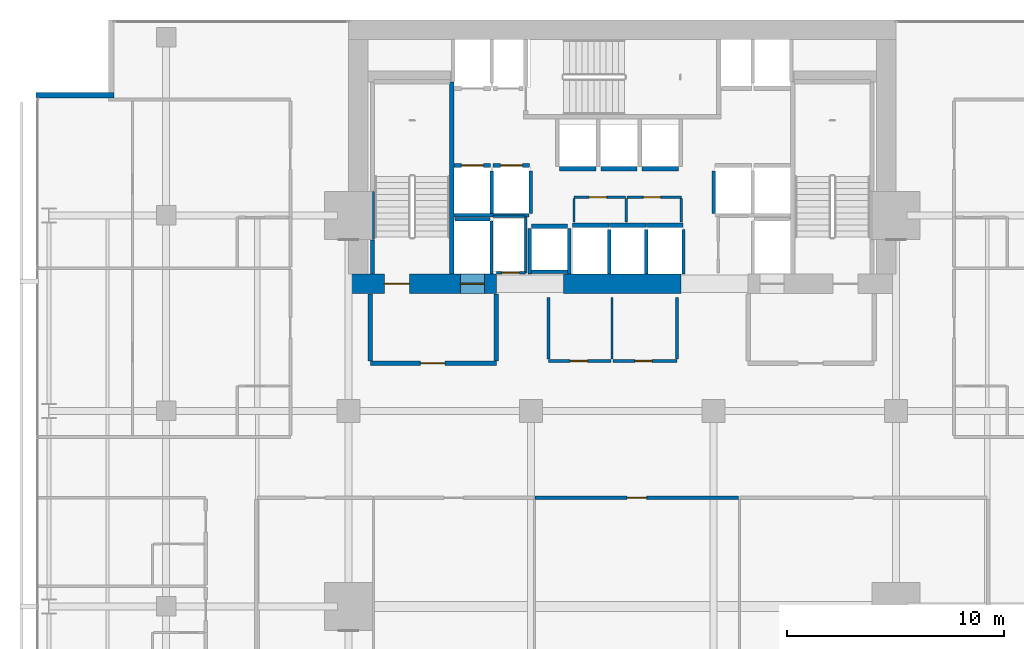
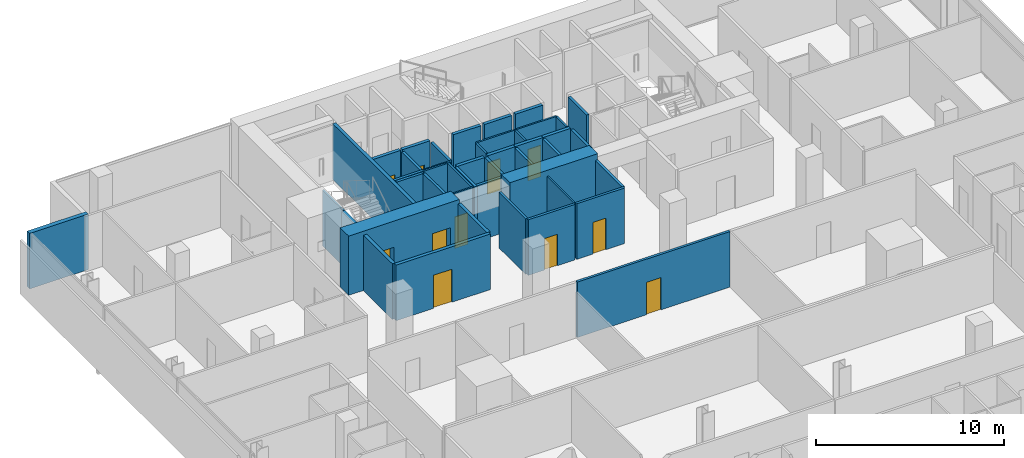
# One storey, part 36 of 41: 44 walls, 11 doors, 11 openings.
"""IFC4 building model written with IfcOpenShell, lengths in metres."""

from ifc_helpers import new_model, si_unit, direction, frame, frame_2d, origin, place, context, subcontext, project, spatial, rectangle, extrude, material, layer, layer_set, type_object, element, fill, save


model = new_model("IFC4")

# Units and contexts
model_context = context("Model", 3, precision=1e-05, world=origin(), true_north=direction((0.0, 1.0)))
body_context = subcontext(model_context, "Body", "Model", "MODEL_VIEW")
ifc_project = project(units=[si_unit("LENGTHUNIT", "METRE"), si_unit("AREAUNIT", "SQUARE_METRE"), si_unit("VOLUMEUNIT", "CUBIC_METRE"), si_unit("PLANEANGLEUNIT", "RADIAN"), si_unit("MASSUNIT", "GRAM", prefix="KILO")], contexts=[model_context])

# Site, building, storey
site_placement = place(None, origin())
site = spatial("IfcSite", under=ifc_project, at=site_placement, CompositionType="ELEMENT")
building_placement = place(site_placement, origin())
building = spatial("IfcBuilding", under=site, at=building_placement, Name="Maruvema Waterfront Hotel and Observation Tower", CompositionType="ELEMENT")
storey_placement = place(building_placement, frame((0.0, 0.0, 61.60009765625)))
storey = spatial("IfcBuildingStorey", under=building, at=storey_placement, Name="L14", CompositionType="ELEMENT", Elevation=61.60009765625)

# Wall, opening, door
ifc_material_1 = material(Name="Twin-stud acoustic gypsum drywall", Category="gypsum")
ifc_layer_1 = layer(ifc_material_1, 0.14990234375, Name="Acoustic Corridor and Suite Demising Wall 150 mm")
ifc_layer_set_1 = layer_set([ifc_layer_1], Name="Twin-stud acoustic gypsum drywall")
wall_type_1 = type_object("IfcWallType", Name="Acoustic Corridor and Suite Demising Wall 150 mm", PredefinedType="PARTITIONING", material=ifc_layer_set_1)
wall_1_placement = place(storey_placement, frame((34.39990234375, 38.300048828125, 0.0), z_axis=(0.0, 0.0, 1.0), x_axis=(1.0, 0.0, 0.0)))
wall_1 = element("IfcWall", 1, at=wall_1_placement, inside=storey, type_object=wall_type_1, Name="L14 Core Apron K2A South 017", PredefinedType="PARTITIONING", context=body_context, shape_type="SweptSolid", body=[
    extrude(rectangle(XDim=2.880126953125, YDim=0.14990234375, at=frame_2d((1.43994140625, 0.0))), origin(), (0.0, 0.0, 1.0), 3.60986328125),
])
opening_1_placement = place(wall_1_placement, frame((1.0, 0.0, 0.0)))
opening_1 = element("IfcOpeningElement", 2, at=opening_1_placement, cuts=wall_1, Name="Opening DR-080", PredefinedType="OPENING", context=body_context, shape_type="SweptSolid", body=[
    extrude(rectangle(XDim=0.800048828125, YDim=2.050048828125, at=frame_2d((0.39990234375, 1.02490234375))), frame((0.0, 0.0849609375, 0.0), z_axis=(0.0, -1.0, 0.0), x_axis=(1.0, 0.0, 0.0)), (0.0, 0.0, 1.0), 0.169921875),
])
ifc_material_2 = material(Name="Powder-coated steel access leaf", Category="steel")
door_type_1 = type_object("IfcDoorType", Name="Riser and Service Cupboard Door 800x2050 mm", OperationType="NOTDEFINED", PredefinedType="DOOR", material=ifc_material_2)
door_1_placement = place(opening_1_placement, frame((0.800048828125, 0.0, 0.0), z_axis=(0.0, 0.0, 1.0), x_axis=(-1.0, 0.0, 0.0)))
door_1 = element("IfcDoor", 3, at=door_1_placement, inside=storey, type_object=door_type_1, Name="L14 Core Ice Alcove Door", OperationType="SINGLE_SWING_RIGHT", OverallHeight=2.050048828125, OverallWidth=0.800048828125, PredefinedType="DOOR", context=body_context, shape_type="SweptSolid", body=[
    extrude(rectangle(XDim=0.800048828125, YDim=2.050048828125, at=frame_2d((0.39990234375, 1.02490234375))), frame((0.0, 0.02490234375, 0.0), z_axis=(0.0, -1.0, 0.0), x_axis=(1.0, 0.0, 0.0)), (0.0, 0.0, 1.0), 0.050048828125),
])
fill(opening_1, door_1)

wall_2_placement = place(storey_placement, frame((37.3798828125, 38.300048828125, 0.0), z_axis=(0.0, 0.0, 1.0), x_axis=(1.0, 0.0, 0.0)))
wall_2 = element("IfcWall", 4, at=wall_2_placement, inside=storey, type_object=wall_type_1, Name="L14 Core Apron K2B South 018", PredefinedType="PARTITIONING", context=body_context, shape_type="SweptSolid", body=[
    extrude(rectangle(XDim=2.940185546875, YDim=0.14990234375, at=frame_2d((1.47021484375, 0.0))), origin(), (0.0, 0.0, 1.0), 3.60986328125),
])
opening_2_placement = place(wall_2_placement, frame((1.0, 0.0, 0.0)))
opening_2 = element("IfcOpeningElement", 5, at=opening_2_placement, cuts=wall_2, Name="Opening DR-080", PredefinedType="OPENING", context=body_context, shape_type="SweptSolid", body=[
    extrude(rectangle(XDim=0.800048828125, YDim=2.050048828125, at=frame_2d((0.39990234375, 1.02490234375))), frame((0.0, 0.0849609375, 0.0), z_axis=(0.0, -1.0, 0.0), x_axis=(1.0, 0.0, 0.0)), (0.0, 0.0, 1.0), 0.169921875),
])
door_2_placement = place(opening_2_placement, frame((0.800048828125, 0.0, 0.0), z_axis=(0.0, 0.0, 1.0), x_axis=(-1.0, 0.0, 0.0)))
door_2 = element("IfcDoor", 6, at=door_2_placement, inside=storey, type_object=door_type_1, Name="L14 Core Valet Closet Door", OperationType="SINGLE_SWING_LEFT", OverallHeight=2.050048828125, OverallWidth=0.800048828125, PredefinedType="DOOR", context=body_context, shape_type="SweptSolid", body=[
    extrude(rectangle(XDim=0.800048828125, YDim=2.050048828125, at=frame_2d((0.39990234375, 1.02490234375))), frame((0.0, 0.02490234375, 0.0), z_axis=(0.0, -1.0, 0.0), x_axis=(1.0, 0.0, 0.0)), (0.0, 0.0, 1.0), 0.050048828125),
])
fill(opening_2, door_2)

# Walls
for number, where, z_axis, x_axis, name in (
    (7, (34.39990234375, 38.3798828125, 0.0), (0.0, 0.0, 1.0), (0.0, 1.0, 0.0), "L14 Core Apron K2 West 019"),
    (8, (40.320068359375, 38.3798828125, 0.0), (0.0, 0.0, 1.0), (0.0, 1.0, 0.0), "L14 Core Apron K2 East 021"),
):
    element("IfcWall", number, at=place(storey_placement, frame(where, z_axis=z_axis, x_axis=x_axis)), inside=storey, type_object=wall_type_1, Name=name, PredefinedType="PARTITIONING", context=body_context, shape_type="SweptSolid", body=[
        extrude(rectangle(XDim=2.840087890625, YDim=0.14990234375, at=frame_2d((1.419921875, 0.0))), origin(), (0.0, 0.0, 1.0), 3.60986328125),
    ])

# Wall, opening, door
wall_3_placement = place(storey_placement, frame((33.785888671875, 32.0, 0.0), z_axis=(0.0, 0.0, 1.0), x_axis=(1.0, 0.0, 0.0)))
wall_3 = element("IfcWall", 9, at=wall_3_placement, inside=storey, type_object=wall_type_1, Name="L14 L14-INTN Front 3 029", PredefinedType="PARTITIONING", context=body_context, shape_type="SweptSolid", body=[
    extrude(rectangle(XDim=9.376220703125, YDim=0.14990234375, at=frame_2d((4.68798828125, 0.0))), origin(), (0.0, 0.0, 1.0), 3.60986328125),
])
opening_3_placement = place(wall_3_placement, frame((4.238037109375, 0.0, 0.0)))
opening_3 = element("IfcOpeningElement", 10, at=opening_3_placement, cuts=wall_3, Name="Opening DR-090", PredefinedType="OPENING", context=body_context, shape_type="SweptSolid", body=[
    extrude(rectangle(XDim=0.89990234375, YDim=2.10009765625, at=frame_2d((0.449951171875, 1.050048828125))), frame((0.0, 0.0849609375, 0.0), z_axis=(0.0, -1.0, 0.0), x_axis=(1.0, 0.0, 0.0)), (0.0, 0.0, 1.0), 0.169921875),
])
ifc_material_3 = material(Name="Solid-core lacquered timber leaf", Category="wood")
door_type_2 = type_object("IfcDoorType", Name="Accessible Toilet and Room Door 900x2100 mm", OperationType="NOTDEFINED", PredefinedType="DOOR", material=ifc_material_3)
door_3_placement = place(opening_3_placement, origin())
door_3 = element("IfcDoor", 11, at=door_3_placement, inside=storey, type_object=door_type_2, Name="L14 Conference Salon 3 Door", OperationType="SINGLE_SWING_RIGHT", OverallHeight=2.10009765625, OverallWidth=0.89990234375, PredefinedType="DOOR", context=body_context, shape_type="SweptSolid", body=[
    extrude(rectangle(XDim=0.89990234375, YDim=2.10009765625, at=frame_2d((0.449951171875, 1.050048828125))), frame((0.0, 0.02490234375, 0.0), z_axis=(0.0, -1.0, 0.0), x_axis=(1.0, 0.0, 0.0)), (0.0, 0.0, 1.0), 0.050048828125),
])
fill(opening_3, door_3)

# Walls
ifc_material_4 = material(Name="Precast concrete C45/55", Category="concrete")
ifc_layer_2 = layer(ifc_material_4, 0.199951171875, Name="Core Shaft and Stairwell Enclosure Wall 200 mm")
ifc_layer_set_2 = layer_set([ifc_layer_2], Name="Precast concrete C45/55")
wall_type_2 = type_object("IfcWallType", Name="Core Shaft and Stairwell Enclosure Wall 200 mm", PredefinedType="SOLIDWALL", material=ifc_layer_set_2)
wall_4_placement = place(storey_placement, frame((29.949951171875, 42.300048828125, 0.0), z_axis=(0.0, 0.0, 1.0), x_axis=(0.0, 1.0, 0.0)))
element("IfcWall", 12, at=wall_4_placement, inside=storey, type_object=wall_type_2, Name="L14 Stairwell ST-01 East Shaft Wall", PredefinedType="SOLIDWALL", context=body_context, shape_type="SweptSolid", body=[
    extrude(rectangle(XDim=8.849853515625, YDim=0.199951171875, at=frame_2d((4.4248046875, 0.0))), origin(), (0.0, 0.0, 1.0), 3.60986328125),
])
wall_5_placement = place(storey_placement, frame((26.300048828125, 42.300048828125, 0.0), z_axis=(0.0, 0.0, 1.0), x_axis=(0.0, 1.0, 0.0)))
element("IfcWall", 13, at=wall_5_placement, inside=storey, type_object=wall_type_2, Name="L14 Stairwell ST-01 Shaft Lining Wall", PredefinedType="SOLIDWALL", context=body_context, shape_type="SweptSolid", body=[
    extrude(rectangle(XDim=1.579833984375, YDim=0.199951171875, at=frame_2d((0.7900390625, 0.0))), origin(), (0.0, 0.0, 1.0), 3.60986328125),
])

# Wall, opening, door
wall_6_placement = place(storey_placement, frame((30.06005859375, 47.300048828125, 0.0), z_axis=(0.0, 0.0, 1.0), x_axis=(1.0, 0.0, 0.0)))
wall_6 = element("IfcWall", 14, at=wall_6_placement, inside=storey, type_object=wall_type_2, Name="L14 Lift LF-01 Hoistway Front Wall", PredefinedType="SOLIDWALL", context=body_context, shape_type="SweptSolid", body=[
    extrude(rectangle(XDim=1.679931640625, YDim=0.199951171875, at=frame_2d((0.83984375, 0.0))), origin(), (0.0, 0.0, 1.0), 3.60986328125),
])
opening_4_placement = place(wall_6_placement, frame((0.340087890625, 0.0, 0.0)))
opening_4 = element("IfcOpeningElement", 15, at=opening_4_placement, cuts=wall_6, Name="Opening LD-01", PredefinedType="OPENING", context=body_context, shape_type="SweptSolid", body=[
    extrude(rectangle(XDim=1.0, YDim=2.14990234375, at=frame_2d((0.5, 1.074951171875))), frame((0.0, 0.10986328125, 0.0), z_axis=(0.0, -1.0, 0.0), x_axis=(1.0, 0.0, 0.0)), (0.0, 0.0, 1.0), 0.219970703125),
])
ifc_material_5 = material(Name="Brushed stainless steel Grade 316", Category="steel")
door_type_3 = type_object("IfcDoorType", Name="Passenger Lift Sliding Landing Door 1000x2150 mm", OperationType="SLIDING_TO_LEFT", PredefinedType="DOOR", material=ifc_material_5)
door_4_placement = place(opening_4_placement, origin())
door_4 = element("IfcDoor", 16, at=door_4_placement, inside=storey, type_object=door_type_3, Name="L14 Lift LF-01 Sliding Landing Door", OperationType="SLIDING_TO_LEFT", OverallHeight=2.14990234375, OverallWidth=1.0, PredefinedType="DOOR", context=body_context, shape_type="SweptSolid", body=[
    extrude(rectangle(XDim=1.0, YDim=2.14990234375, at=frame_2d((0.5, 1.074951171875))), frame((0.0, 0.02490234375, 0.0), z_axis=(0.0, -1.0, 0.0), x_axis=(1.0, 0.0, 0.0)), (0.0, 0.0, 1.0), 0.050048828125),
])
fill(opening_4, door_4)

wall_7_placement = place(storey_placement, frame((31.860107421875, 47.300048828125, 0.0), z_axis=(0.0, 0.0, 1.0), x_axis=(1.0, 0.0, 0.0)))
wall_7 = element("IfcWall", 17, at=wall_7_placement, inside=storey, type_object=wall_type_2, Name="L14 Lift LF-02 Hoistway Front Wall", PredefinedType="SOLIDWALL", context=body_context, shape_type="SweptSolid", body=[
    extrude(rectangle(XDim=1.679931640625, YDim=0.199951171875, at=frame_2d((0.83984375, 0.0))), origin(), (0.0, 0.0, 1.0), 3.60986328125),
])
opening_5_placement = place(wall_7_placement, frame((0.340087890625, 0.0, 0.0)))
opening_5 = element("IfcOpeningElement", 18, at=opening_5_placement, cuts=wall_7, Name="Opening LD-01", PredefinedType="OPENING", context=body_context, shape_type="SweptSolid", body=[
    extrude(rectangle(XDim=1.0, YDim=2.14990234375, at=frame_2d((0.5, 1.074951171875))), frame((0.0, 0.10986328125, 0.0), z_axis=(0.0, -1.0, 0.0), x_axis=(1.0, 0.0, 0.0)), (0.0, 0.0, 1.0), 0.219970703125),
])
door_5_placement = place(opening_5_placement, origin())
door_5 = element("IfcDoor", 19, at=door_5_placement, inside=storey, type_object=door_type_3, Name="L14 Lift LF-02 Sliding Landing Door", OperationType="SLIDING_TO_LEFT", OverallHeight=2.14990234375, OverallWidth=1.0, PredefinedType="DOOR", context=body_context, shape_type="SweptSolid", body=[
    extrude(rectangle(XDim=1.0, YDim=2.14990234375, at=frame_2d((0.5, 1.074951171875))), frame((0.0, 0.02490234375, 0.0), z_axis=(0.0, -1.0, 0.0), x_axis=(1.0, 0.0, 0.0)), (0.0, 0.0, 1.0), 0.050048828125),
])
fill(opening_5, door_5)

# Walls
for number, where, z_axis, x_axis, name in (
    (20, (35.510009765625, 44.550048828125, 0.0), (0.0, 0.0, 1.0), (1.0, 0.0, 0.0), "L14 Lift LF-09 Hoistway Front Wall"),
    (21, (37.2099609375, 44.550048828125, 0.0), (0.0, 0.0, 1.0), (1.0, 0.0, 0.0), "L14 Lift LF-10 Hoistway Front Wall"),
):
    element("IfcWall", number, at=place(storey_placement, frame(where, z_axis=z_axis, x_axis=x_axis)), inside=storey, type_object=wall_type_2, Name=name, PredefinedType="SOLIDWALL", context=body_context, shape_type="SweptSolid", body=[
        extrude(rectangle(XDim=1.679931640625, YDim=0.199951171875, at=frame_2d((0.83984375, 0.0))), origin(), (0.0, 0.0, 1.0), 3.60986328125),
    ])
for number, where, z_axis, x_axis, name in (
    (22, (38.909912109375, 44.550048828125, 0.0), (0.0, 0.0, 1.0), (1.0, 0.0, 0.0), "L14 Lift LF-11 Hoistway Front Wall"),
    (23, (34.909912109375, 47.14990234375, 0.0), (0.0, 0.0, 1.0), (1.0, 0.0, 0.0), "L14 Lift LF-12 Hoistway Front Wall"),
):
    element("IfcWall", number, at=place(storey_placement, frame(where, z_axis=z_axis, x_axis=x_axis)), inside=storey, type_object=wall_type_2, Name=name, PredefinedType="SOLIDWALL", context=body_context, shape_type="SweptSolid", body=[
        extrude(rectangle(XDim=1.68017578125, YDim=0.199951171875, at=frame_2d((0.840087890625, 0.0))), origin(), (0.0, 0.0, 1.0), 3.60986328125),
    ])
for number, where, z_axis, x_axis, name in (
    (24, (36.81005859375, 47.14990234375, 0.0), (0.0, 0.0, 1.0), (1.0, 0.0, 0.0), "L14 Lift LF-13 Hoistway Front Wall"),
    (25, (38.7099609375, 47.14990234375, 0.0), (0.0, 0.0, 1.0), (1.0, 0.0, 0.0), "L14 Lift LF-14 Hoistway Front Wall"),
    (26, (33.610107421875, 44.5, 0.0), (0.0, 0.0, 1.0), (1.0, 0.0, 0.0), "L14 Lift LF-15 Hoistway Front Wall"),
):
    element("IfcWall", number, at=place(storey_placement, frame(where, z_axis=z_axis, x_axis=x_axis)), inside=storey, type_object=wall_type_2, Name=name, PredefinedType="SOLIDWALL", context=body_context, shape_type="SweptSolid", body=[
        extrude(rectangle(XDim=1.679931640625, YDim=0.199951171875, at=frame_2d((0.83984375, 0.0))), origin(), (0.0, 0.0, 1.0), 3.60986328125),
    ])

# Wall, openings, doors
ifc_material_6 = material(Name="Concrete C80/95", Category="concrete")
ifc_layer_3 = layer(ifc_material_6, 0.89990234375, Name="Core Shear Wall 900 mm")
ifc_layer_set_3 = layer_set([ifc_layer_3], Name="Concrete C80/95")
wall_type_3 = type_object("IfcWallType", Name="Core Shear Wall 900 mm", PredefinedType="SHEAR", material=ifc_layer_set_3)
wall_8_placement = place(storey_placement, frame((25.199951171875, 41.85009765625, 0.0), z_axis=(0.0, 0.0, 1.0), x_axis=(1.0, 0.0, 0.0)))
wall_8 = element("IfcWall", 27, at=wall_8_placement, inside=storey, type_object=wall_type_3, Name="L14 South-West Core Shear Wall", PredefinedType="SHEAR", context=body_context, shape_type="SweptSolid", body=[
    extrude(rectangle(XDim=6.800048828125, YDim=0.89990234375, at=frame_2d((3.39990234375, 0.0))), origin(), (0.0, 0.0, 1.0), 3.849853515625),
])
opening_6_placement = place(wall_8_placement, frame((1.64990234375, 0.0, 0.0)))
opening_6 = element("IfcOpeningElement", 28, at=opening_6_placement, cuts=wall_8, Name="Opening SD-01", PredefinedType="OPENING", context=body_context, shape_type="SweptSolid", body=[
    extrude(rectangle(XDim=1.14990234375, YDim=2.14990234375, at=frame_2d((0.574951171875, 1.074951171875))), frame((0.0, 0.4599609375, 0.0), z_axis=(0.0, -1.0, 0.0), x_axis=(1.0, 0.0, 0.0)), (0.0, 0.0, 1.0), 0.919921875),
])
opening_7_placement = place(wall_8_placement, frame((5.14990234375, 0.0, 0.0)))
opening_7 = element("IfcOpeningElement", 29, at=opening_7_placement, cuts=wall_8, Name="Opening LD-03", PredefinedType="OPENING", context=body_context, shape_type="SweptSolid", body=[
    extrude(rectangle(XDim=1.10009765625, YDim=2.199951171875, at=frame_2d((0.550048828125, 1.10009765625))), frame((0.0, 0.4599609375, 0.0), z_axis=(0.0, -1.0, 0.0), x_axis=(1.0, 0.0, 0.0)), (0.0, 0.0, 1.0), 0.919921875),
])
ifc_material_7 = material(Name="Fire-rated galvanised steel leaf", Category="steel")
door_type_4 = type_object("IfcDoorType", Name="Exit Stair Fire Door 1150x2150 mm", OperationType="NOTDEFINED", PredefinedType="DOOR", material=ifc_material_7)
door_6_placement = place(opening_6_placement, origin())
door_6 = element("IfcDoor", 30, at=door_6_placement, inside=storey, type_object=door_type_4, Name="L14 Exit Stair ST-01 Fire Door", OperationType="SINGLE_SWING_LEFT", OverallHeight=2.14990234375, OverallWidth=1.14990234375, PredefinedType="DOOR", context=body_context, shape_type="SweptSolid", body=[
    extrude(rectangle(XDim=1.14990234375, YDim=2.14990234375, at=frame_2d((0.574951171875, 1.074951171875))), frame((0.0, 0.02490234375, 0.0), z_axis=(0.0, -1.0, 0.0), x_axis=(1.0, 0.0, 0.0)), (0.0, 0.0, 1.0), 0.050048828125),
])
fill(opening_6, door_6)
ifc_material_8 = material(Name="Brushed stainless steel Grade 316", Category="steel")
door_type_5 = type_object("IfcDoorType", Name="Firefighting Lift Sliding Landing Door 1100x2200 mm", OperationType="SLIDING_TO_LEFT", PredefinedType="DOOR", material=ifc_material_8)
door_7_placement = place(opening_7_placement, frame((1.10009765625, 0.0, 0.0), z_axis=(0.0, 0.0, 1.0), x_axis=(-1.0, 0.0, 0.0)))
door_7 = element("IfcDoor", 31, at=door_7_placement, inside=storey, type_object=door_type_5, Name="L14 Firefighting Lift FL-01 Landing Door", OperationType="SLIDING_TO_LEFT", OverallHeight=2.199951171875, OverallWidth=1.10009765625, PredefinedType="DOOR", context=body_context, shape_type="SweptSolid", body=[
    extrude(rectangle(XDim=1.10009765625, YDim=2.199951171875, at=frame_2d((0.550048828125, 1.10009765625))), frame((0.0, 0.02490234375, 0.0), z_axis=(0.0, -1.0, 0.0), x_axis=(1.0, 0.0, 0.0)), (0.0, 0.0, 1.0), 0.050048828125),
])
fill(opening_7, door_7)

# Wall
wall_9_placement = place(storey_placement, frame((35.10009765625, 41.85009765625, 0.0), z_axis=(0.0, 0.0, 1.0), x_axis=(1.0, 0.0, 0.0)))
element("IfcWall", 32, at=wall_9_placement, inside=storey, type_object=wall_type_3, Name="L14 South-Central Core Shear Wall", PredefinedType="SHEAR", context=body_context, shape_type="SweptSolid", body=[
    extrude(rectangle(XDim=5.39990234375, YDim=0.89990234375, at=frame_2d((2.699951171875, 0.0))), origin(), (0.0, 0.0, 1.0), 3.849853515625),
])

# Wall, opening, door
ifc_material_9 = material(Name="Moisture-resistant cement-board drywall", Category="gypsum")
ifc_layer_4 = layer(ifc_material_9, 0.10009765625, Name="En-Suite Moisture-Resistant Partition 100 mm")
ifc_layer_set_4 = layer_set([ifc_layer_4], Name="Moisture-resistant cement-board drywall")
wall_type_4 = type_object("IfcWallType", Name="En-Suite Moisture-Resistant Partition 100 mm", PredefinedType="PARTITIONING", material=ifc_layer_set_4)
wall_10_placement = place(storey_placement, frame((32.02001953125, 42.360107421875, 0.0), z_axis=(0.0, 0.0, 1.0), x_axis=(1.0, 0.0, 0.0)))
wall_10 = element("IfcWall", 33, at=wall_10_placement, inside=storey, type_object=wall_type_4, Name="L14 Telecom Riser South Wall 007", PredefinedType="PARTITIONING", context=body_context, shape_type="SweptSolid", body=[
    extrude(rectangle(XDim=1.320068359375, YDim=0.10009765625, at=frame_2d((0.66015625, 0.0))), origin(), (0.0, 0.0, 1.0), 3.60986328125),
])
opening_8_placement = place(wall_10_placement, frame((0.239990234375, 0.0, 0.0)))
opening_8 = element("IfcOpeningElement", 34, at=opening_8_placement, cuts=wall_10, Name="Opening DR-080", PredefinedType="OPENING", context=body_context, shape_type="SweptSolid", body=[
    extrude(rectangle(XDim=0.800048828125, YDim=2.050048828125, at=frame_2d((0.39990234375, 1.02490234375))), frame((0.0, 0.06005859375, 0.0), z_axis=(0.0, -1.0, 0.0), x_axis=(1.0, 0.0, 0.0)), (0.0, 0.0, 1.0), 0.1201171875),
])
door_8_placement = place(opening_8_placement, frame((0.800048828125, 0.0, 0.0), z_axis=(0.0, 0.0, 1.0), x_axis=(-1.0, 0.0, 0.0)))
door_8 = element("IfcDoor", 35, at=door_8_placement, inside=storey, type_object=door_type_1, Name="L14 Telecom Riser Door", OperationType="SINGLE_SWING_RIGHT", OverallHeight=2.050048828125, OverallWidth=0.800048828125, PredefinedType="DOOR", context=body_context, shape_type="SweptSolid", body=[
    extrude(rectangle(XDim=0.800048828125, YDim=2.050048828125, at=frame_2d((0.39990234375, 1.02490234375))), frame((0.0, 0.02490234375, 0.0), z_axis=(0.0, -1.0, 0.0), x_axis=(1.0, 0.0, 0.0)), (0.0, 0.0, 1.0), 0.050048828125),
])
fill(opening_8, door_8)

# Walls
wall_11_placement = place(storey_placement, frame((31.840087890625, 44.9599609375, 0.0), z_axis=(0.0, 0.0, 1.0), x_axis=(1.0, 0.0, 0.0)))
element("IfcWall", 36, at=wall_11_placement, inside=storey, type_object=wall_type_4, Name="L14 Telecom Riser North Wall 008", PredefinedType="PARTITIONING", context=body_context, shape_type="SweptSolid", body=[
    extrude(rectangle(XDim=1.47998046875, YDim=0.10009765625, at=frame_2d((0.739990234375, 0.0))), origin(), (0.0, 0.0, 1.0), 3.60986328125),
])
wall_12_placement = place(storey_placement, frame((33.360107421875, 42.360107421875, 0.0), z_axis=(0.0, 0.0, 1.0), x_axis=(0.0, 1.0, 0.0)))
element("IfcWall", 37, at=wall_12_placement, inside=storey, type_object=wall_type_4, Name="L14 Telecom Riser East Wall 009", PredefinedType="PARTITIONING", context=body_context, shape_type="SweptSolid", body=[
    extrude(rectangle(XDim=2.579833984375, YDim=0.10009765625, at=frame_2d((1.2900390625, 0.0))), origin(), (0.0, 0.0, 1.0), 3.60986328125),
])

# Wall, opening, door
wall_13_placement = place(storey_placement, frame((35.580078125, 45.840087890625, 0.0), z_axis=(0.0, 0.0, 1.0), x_axis=(1.0, 0.0, 0.0)))
wall_13 = element("IfcWall", 38, at=wall_13_placement, inside=storey, type_object=wall_type_4, Name="L14 Core Closet K2A North 010", PredefinedType="PARTITIONING", context=body_context, shape_type="SweptSolid", body=[
    extrude(rectangle(XDim=2.35986328125, YDim=0.10009765625, at=frame_2d((1.179931640625, 0.0))), origin(), (0.0, 0.0, 1.0), 3.60986328125),
])
opening_9_placement = place(wall_13_placement, frame((0.699951171875, 0.0, 0.0)))
opening_9 = element("IfcOpeningElement", 39, at=opening_9_placement, cuts=wall_13, Name="Opening DR-080", PredefinedType="OPENING", context=body_context, shape_type="SweptSolid", body=[
    extrude(rectangle(XDim=0.800048828125, YDim=2.050048828125, at=frame_2d((0.39990234375, 1.02490234375))), frame((0.0, 0.06005859375, 0.0), z_axis=(0.0, -1.0, 0.0), x_axis=(1.0, 0.0, 0.0)), (0.0, 0.0, 1.0), 0.1201171875),
])
door_9_placement = place(opening_9_placement, origin())
door_9 = element("IfcDoor", 40, at=door_9_placement, inside=storey, type_object=door_type_1, Name="L14 Core IT Closet Door", OperationType="SINGLE_SWING_LEFT", OverallHeight=2.050048828125, OverallWidth=0.800048828125, PredefinedType="DOOR", context=body_context, shape_type="SweptSolid", body=[
    extrude(rectangle(XDim=0.800048828125, YDim=2.050048828125, at=frame_2d((0.39990234375, 1.02490234375))), frame((0.0, 0.02490234375, 0.0), z_axis=(0.0, -1.0, 0.0), x_axis=(1.0, 0.0, 0.0)), (0.0, 0.0, 1.0), 0.050048828125),
])
fill(opening_9, door_9)

wall_14_placement = place(storey_placement, frame((38.02001953125, 45.840087890625, 0.0), z_axis=(0.0, 0.0, 1.0), x_axis=(1.0, 0.0, 0.0)))
wall_14 = element("IfcWall", 41, at=wall_14_placement, inside=storey, type_object=wall_type_4, Name="L14 Core Closet K2B North 011", PredefinedType="PARTITIONING", context=body_context, shape_type="SweptSolid", body=[
    extrude(rectangle(XDim=2.5, YDim=0.10009765625, at=frame_2d((1.25, 0.0))), origin(), (0.0, 0.0, 1.0), 3.60986328125),
])
opening_10_placement = place(wall_14_placement, frame((0.75, 0.0, 0.0)))
opening_10 = element("IfcOpeningElement", 42, at=opening_10_placement, cuts=wall_14, Name="Opening DR-080", PredefinedType="OPENING", context=body_context, shape_type="SweptSolid", body=[
    extrude(rectangle(XDim=0.800048828125, YDim=2.050048828125, at=frame_2d((0.39990234375, 1.02490234375))), frame((0.0, 0.06005859375, 0.0), z_axis=(0.0, -1.0, 0.0), x_axis=(1.0, 0.0, 0.0)), (0.0, 0.0, 1.0), 0.1201171875),
])
door_10_placement = place(opening_10_placement, origin())
door_10 = element("IfcDoor", 43, at=door_10_placement, inside=storey, type_object=door_type_1, Name="L14 Core Linen Cupboard Door", OperationType="SINGLE_SWING_RIGHT", OverallHeight=2.050048828125, OverallWidth=0.800048828125, PredefinedType="DOOR", context=body_context, shape_type="SweptSolid", body=[
    extrude(rectangle(XDim=0.800048828125, YDim=2.050048828125, at=frame_2d((0.39990234375, 1.02490234375))), frame((0.0, 0.02490234375, 0.0), z_axis=(0.0, -1.0, 0.0), x_axis=(1.0, 0.0, 0.0)), (0.0, 0.0, 1.0), 0.050048828125),
])
fill(opening_10, door_10)

# Walls
for number, where, z_axis, x_axis, name in (
    (44, (35.580078125, 44.699951171875, 0.0), (0.0, 0.0, 1.0), (0.0, 1.0, 0.0), "L14 Core Closet K2 West 012"),
    (45, (37.97998046875, 44.699951171875, 0.0), (0.0, 0.0, 1.0), (0.0, 1.0, 0.0), "L14 Core Closet K2 Mid 013"),
    (46, (40.52001953125, 44.699951171875, 0.0), (0.0, 0.0, 1.0), (0.0, 1.0, 0.0), "L14 Core Closet K2 East 014"),
):
    element("IfcWall", number, at=place(storey_placement, frame(where, z_axis=z_axis, x_axis=x_axis)), inside=storey, type_object=wall_type_4, Name=name, PredefinedType="PARTITIONING", context=body_context, shape_type="SweptSolid", body=[
        extrude(rectangle(XDim=1.080078125, YDim=0.10009765625, at=frame_2d((0.5400390625, 0.0))), origin(), (0.0, 0.0, 1.0), 3.60986328125),
    ])
wall_15_placement = place(storey_placement, frame((37.330078125, 38.3798828125, 0.0), z_axis=(0.0, 0.0, 1.0), x_axis=(0.0, 1.0, 0.0)))
element("IfcWall", 47, at=wall_15_placement, inside=storey, type_object=wall_type_4, Name="L14 Core Apron K2 Split 020", PredefinedType="PARTITIONING", context=body_context, shape_type="SweptSolid", body=[
    extrude(rectangle(XDim=2.840087890625, YDim=0.10009765625, at=frame_2d((1.419921875, 0.0))), origin(), (0.0, 0.0, 1.0), 3.60986328125),
])
ifc_material_10 = material(Name="Precast concrete C45/55 with honed Pernambuco granite facing", Category="masonry")
ifc_layer_5 = layer(ifc_material_10, 0.260009765625, Name="Exterior Granite Clad Spandrel and Pier Wall 260 mm")
ifc_layer_set_5 = layer_set([ifc_layer_5], Name="Precast concrete C45/55 with honed Pernambuco granite facing")
wall_type_5 = type_object("IfcWallType", Name="Exterior Granite Clad Spandrel and Pier Wall 260 mm", PredefinedType="SOLIDWALL", material=ifc_layer_set_5)
wall_16_placement = place(storey_placement, frame((10.800048828125, 50.530029296875, 0.0), z_axis=(0.0, 0.0, 1.0), x_axis=(1.0, 0.0, 0.0)))
element("IfcWall", 48, at=wall_16_placement, inside=storey, type_object=wall_type_5, Name="L14 Corner Notch Granite Pier Wall NW2", PredefinedType="SOLIDWALL", context=body_context, shape_type="SweptSolid", body=[
    extrude(rectangle(XDim=3.599853515625, YDim=0.260009765625, at=frame_2d((1.7998046875, 0.0))), origin(), (0.0, 0.0, 1.0), 3.60986328125),
])

# Wall, opening, door
ifc_material_11 = material(Name="Autoclaved cellular concrete blockwork", Category="masonry")
ifc_layer_6 = layer(ifc_material_11, 0.199951171875, Name="Fire Compartment Masonry Wall 200 mm")
ifc_layer_set_6 = layer_set([ifc_layer_6], Name="Autoclaved cellular concrete blockwork")
wall_type_6 = type_object("IfcWallType", Name="Fire Compartment Masonry Wall 200 mm", PredefinedType="PARTITIONING", material=ifc_layer_set_6)
wall_17_placement = place(storey_placement, frame((26.199951171875, 38.199951171875, 0.0), z_axis=(0.0, 0.0, 1.0), x_axis=(1.0, 0.0, 0.0)))
wall_17 = element("IfcWall", 49, at=wall_17_placement, inside=storey, type_object=wall_type_6, Name="L14 FFL West South Wall 001", PredefinedType="PARTITIONING", context=body_context, shape_type="SweptSolid", body=[
    extrude(rectangle(XDim=5.800048828125, YDim=0.199951171875, at=frame_2d((2.89990234375, 0.0))), origin(), (0.0, 0.0, 1.0), 3.60986328125),
])
opening_11_placement = place(wall_17_placement, frame((2.300048828125, 0.0, 0.0)))
opening_11 = element("IfcOpeningElement", 50, at=opening_11_placement, cuts=wall_17, Name="Opening FD-115", PredefinedType="OPENING", context=body_context, shape_type="SweptSolid", body=[
    extrude(rectangle(XDim=1.14990234375, YDim=2.14990234375, at=frame_2d((0.574951171875, 1.074951171875))), frame((0.0, 0.10986328125, 0.0), z_axis=(0.0, -1.0, 0.0), x_axis=(1.0, 0.0, 0.0)), (0.0, 0.0, 1.0), 0.219970703125),
])
ifc_material_12 = material(Name="Fire-rated galvanised steel and vision glass", Category="steel")
door_type_6 = type_object("IfcDoorType", Name="Firefighting Lobby Fire Door 1150x2150 mm", OperationType="NOTDEFINED", PredefinedType="DOOR", material=ifc_material_12)
door_11_placement = place(opening_11_placement, frame((1.14990234375, 0.0, 0.0), z_axis=(0.0, 0.0, 1.0), x_axis=(-1.0, 0.0, 0.0)))
door_11 = element("IfcDoor", 51, at=door_11_placement, inside=storey, type_object=door_type_6, Name="L14 Firefighting Lobby West Door", OperationType="SINGLE_SWING_RIGHT", OverallHeight=2.14990234375, OverallWidth=1.14990234375, PredefinedType="DOOR", context=body_context, shape_type="SweptSolid", body=[
    extrude(rectangle(XDim=1.14990234375, YDim=2.14990234375, at=frame_2d((0.574951171875, 1.074951171875))), frame((0.0, 0.02490234375, 0.0), z_axis=(0.0, -1.0, 0.0), x_axis=(1.0, 0.0, 0.0)), (0.0, 0.0, 1.0), 0.050048828125),
])
fill(opening_11, door_11)

# Walls
for number, where, z_axis, x_axis, name in (
    (52, (26.199951171875, 38.31005859375, 0.0), (0.0, 0.0, 1.0), (0.0, 1.0, 0.0), "L14 FFL West West Wall 002"),
    (53, (32.0, 38.31005859375, 0.0), (0.0, 0.0, 1.0), (0.0, 1.0, 0.0), "L14 FFL West East Wall 003"),
):
    element("IfcWall", number, at=place(storey_placement, frame(where, z_axis=z_axis, x_axis=x_axis)), inside=storey, type_object=wall_type_6, Name=name, PredefinedType="PARTITIONING", context=body_context, shape_type="SweptSolid", body=[
        extrude(rectangle(XDim=3.06982421875, YDim=0.199951171875, at=frame_2d((1.534912109375, 0.0))), origin(), (0.0, 0.0, 1.0), 3.60986328125),
    ])
ifc_material_13 = material(Name="Precast concrete C45/55", Category="concrete")
ifc_layer_7 = layer(ifc_material_13, 0.159912109375, Name="Lift Hoistway Divider Wall 160 mm")
ifc_layer_set_7 = layer_set([ifc_layer_7], Name="Precast concrete C45/55")
wall_type_7 = type_object("IfcWallType", Name="Lift Hoistway Divider Wall 160 mm", PredefinedType="SOLIDWALL", material=ifc_layer_set_7)
wall_18_placement = place(storey_placement, frame((30.10009765625, 44.830078125, 0.0), z_axis=(0.0, 0.0, 1.0), x_axis=(1.0, 0.0, 0.0)))
element("IfcWall", 54, at=wall_18_placement, inside=storey, type_object=wall_type_7, Name="L14 Lift FL-01 Rear Hoistway Wall", PredefinedType="SOLIDWALL", context=body_context, shape_type="SweptSolid", body=[
    extrude(rectangle(XDim=1.599853515625, YDim=0.159912109375, at=frame_2d((0.7998046875, 0.0))), origin(), (0.0, 0.0, 1.0), 3.60986328125),
])
wall_19_placement = place(storey_placement, frame((31.780029296875, 42.300048828125, 0.0), z_axis=(0.0, 0.0, 1.0), x_axis=(0.0, 1.0, 0.0)))
element("IfcWall", 55, at=wall_19_placement, inside=storey, type_object=wall_type_7, Name="L14 Lift FL-01 Inner Hoistway Wall", PredefinedType="SOLIDWALL", context=body_context, shape_type="SweptSolid", body=[
    extrude(rectangle(XDim=2.43994140625, YDim=0.159912109375, at=frame_2d((1.219970703125, 0.0))), origin(), (0.0, 0.0, 1.0), 3.60986328125),
])
for number, where, z_axis, x_axis, name in (
    (56, (31.800048828125, 45.10009765625, 0.0), (0.0, 0.0, 1.0), (0.0, 1.0, 0.0), "L14 Hoistway Divider Wall"),
    (57, (33.580078125, 45.10009765625, 0.0), (0.0, 0.0, 1.0), (0.0, 1.0, 0.0), "L14 Hoistway Divider Wall"),
):
    element("IfcWall", number, at=place(storey_placement, frame(where, z_axis=z_axis, x_axis=x_axis)), inside=storey, type_object=wall_type_7, Name=name, PredefinedType="SOLIDWALL", context=body_context, shape_type="SweptSolid", body=[
        extrude(rectangle(XDim=1.949951171875, YDim=0.159912109375, at=frame_2d((0.97509765625, 0.0))), origin(), (0.0, 0.0, 1.0), 3.60986328125),
    ])
wall_20_placement = place(storey_placement, frame((30.050048828125, 45.010009765625, 0.0), z_axis=(0.0, 0.0, 1.0), x_axis=(1.0, 0.0, 0.0)))
element("IfcWall", 58, at=wall_20_placement, inside=storey, type_object=wall_type_7, Name="L14 Hoistway Divider Wall", PredefinedType="SOLIDWALL", context=body_context, shape_type="SweptSolid", body=[
    extrude(rectangle(XDim=3.449951171875, YDim=0.159912109375, at=frame_2d((1.72509765625, 0.0))), origin(), (0.0, 0.0, 1.0), 3.60986328125),
])
wall_21_placement = place(storey_placement, frame((42.02001953125, 45.10009765625, 0.0), z_axis=(0.0, 0.0, 1.0), x_axis=(0.0, 1.0, 0.0)))
element("IfcWall", 59, at=wall_21_placement, inside=storey, type_object=wall_type_7, Name="L14 Hoistway Divider Wall", PredefinedType="SOLIDWALL", context=body_context, shape_type="SweptSolid", body=[
    extrude(rectangle(XDim=1.949951171875, YDim=0.159912109375, at=frame_2d((0.97509765625, 0.0))), origin(), (0.0, 0.0, 1.0), 3.60986328125),
])
for number, where, z_axis, x_axis, name in (
    (60, (37.199951171875, 42.300048828125, 0.0), (0.0, 0.0, 1.0), (0.0, 1.0, 0.0), "L14 Hoistway Divider Wall"),
    (61, (38.89990234375, 42.300048828125, 0.0), (0.0, 0.0, 1.0), (0.0, 1.0, 0.0), "L14 Hoistway Divider Wall"),
    (62, (40.6201171875, 42.300048828125, 0.0), (0.0, 0.0, 1.0), (0.0, 1.0, 0.0), "L14 Hoistway Divider Wall"),
):
    element("IfcWall", number, at=place(storey_placement, frame(where, z_axis=z_axis, x_axis=x_axis)), inside=storey, type_object=wall_type_7, Name=name, PredefinedType="SOLIDWALL", context=body_context, shape_type="SweptSolid", body=[
        extrude(rectangle(XDim=2.050048828125, YDim=0.159912109375, at=frame_2d((1.02490234375, 0.0))), origin(), (0.0, 0.0, 1.0), 3.60986328125),
    ])
for number, where, z_axis, x_axis, name in (
    (63, (33.5400390625, 42.300048828125, 0.0), (0.0, 0.0, 1.0), (0.0, 1.0, 0.0), "L14 Hoistway Divider Wall"),
    (64, (35.360107421875, 42.300048828125, 0.0), (0.0, 0.0, 1.0), (0.0, 1.0, 0.0), "L14 Hoistway Divider Wall"),
):
    element("IfcWall", number, at=place(storey_placement, frame(where, z_axis=z_axis, x_axis=x_axis)), inside=storey, type_object=wall_type_7, Name=name, PredefinedType="SOLIDWALL", context=body_context, shape_type="SweptSolid", body=[
        extrude(rectangle(XDim=2.099853515625, YDim=0.159912109375, at=frame_2d((1.0498046875, 0.0))), origin(), (0.0, 0.0, 1.0), 3.60986328125),
    ])
wall_22_placement = place(storey_placement, frame((33.6201171875, 42.39990234375, 0.0), z_axis=(0.0, 0.0, 1.0), x_axis=(1.0, 0.0, 0.0)))
element("IfcWall", 65, at=wall_22_placement, inside=storey, type_object=wall_type_7, Name="L14 Hoistway Divider Wall", PredefinedType="SOLIDWALL", context=body_context, shape_type="SweptSolid", body=[
    extrude(rectangle(XDim=1.659912109375, YDim=0.159912109375, at=frame_2d((0.830078125, 0.0))), origin(), (0.0, 0.0, 1.0), 3.60986328125),
])
ifc_material_14 = material(Name="Precast concrete C45/55", Category="concrete")
ifc_layer_8 = layer(ifc_material_14, 0.10009765625, Name="Stairwell Stringer Cheek Wall 100 mm")
ifc_layer_set_8 = layer_set([ifc_layer_8], Name="Precast concrete C45/55")
wall_type_8 = type_object("IfcWallType", Name="Stairwell Stringer Cheek Wall 100 mm", PredefinedType="SOLIDWALL", material=ifc_layer_set_8)
wall_23_placement = place(storey_placement, frame((26.35205078125, 43.89990234375, 0.0), z_axis=(0.0, 0.0, 1.0), x_axis=(0.0, 1.0, 0.0)))
element("IfcWall", 66, at=wall_23_placement, inside=storey, type_object=wall_type_8, Name="L14 Stairwell ST-01 Mega-Column Cheek Wall", PredefinedType="SOLIDWALL", context=body_context, shape_type="SweptSolid", body=[
    extrude(rectangle(XDim=2.2001953125, YDim=0.10009765625, at=frame_2d((1.10009765625, 0.0))), origin(), (0.0, 0.0, 1.0), 3.60986328125),
])

save(model, "model.ifc")
